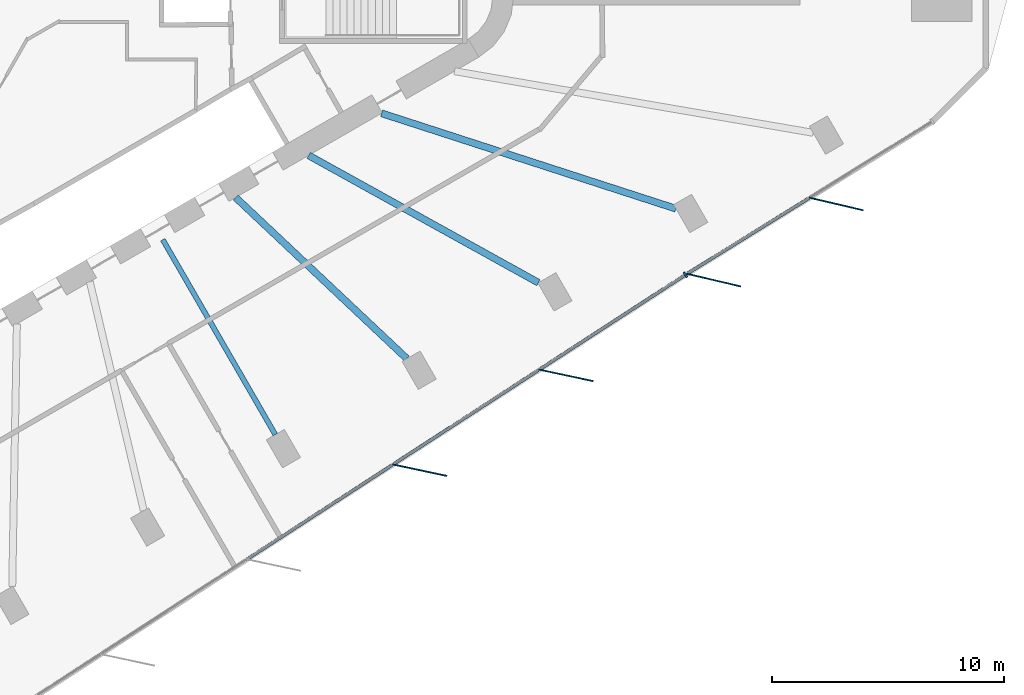
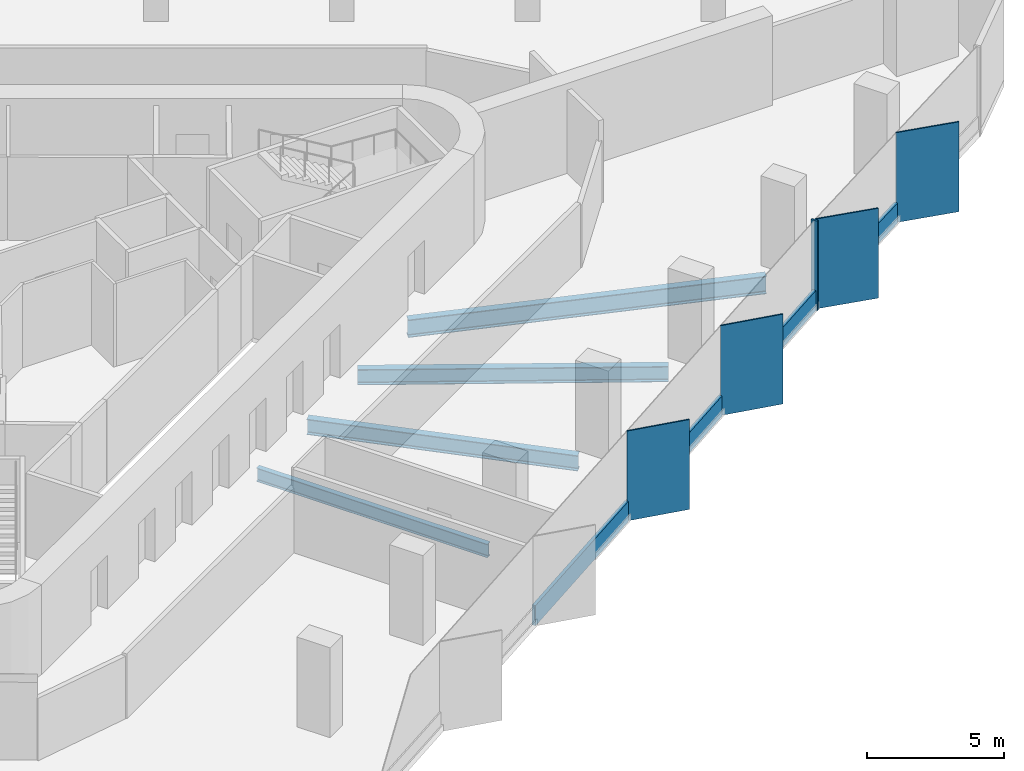
# One storey, part 3 of 13: 9 members, 4 beams, 2 elements without a shape of their own.
"""IFC4 building model written with IfcOpenShell, lengths in metres."""

from ifc_helpers import new_model, si_unit, direction, frame, origin, origin_2d, place, context, subcontext, project, spatial, rectangle, i_section, extrude, material, material_profile, profile_set, type_object, element, aggregate, save


model = new_model("IFC4")

# Units and contexts
model_context = context("Model", 3, precision=1e-05, world=origin(), true_north=direction((0.0, 1.0)))
body_context = subcontext(model_context, "Body", "Model", "MODEL_VIEW")
ifc_project = project(units=[si_unit("LENGTHUNIT", "METRE"), si_unit("AREAUNIT", "SQUARE_METRE"), si_unit("VOLUMEUNIT", "CUBIC_METRE"), si_unit("PLANEANGLEUNIT", "RADIAN"), si_unit("MASSUNIT", "GRAM", prefix="KILO")], contexts=[model_context])

# Site, building, storey
site_placement = place(None, origin())
site = spatial("IfcSite", under=ifc_project, at=site_placement, CompositionType="ELEMENT")
building_placement = place(site_placement, origin())
building = spatial("IfcBuilding", under=site, at=building_placement, Name="Tanit Gate Tower", CompositionType="ELEMENT")
storey_placement = place(building_placement, frame((0.0, 0.0, 173.199951171875)))
storey = spatial("IfcBuildingStorey", under=building, at=storey_placement, Name="L37", CompositionType="ELEMENT", Elevation=173.199951171875)

# Curtain wall, members
ifc_material_1 = material(Name="Aluminium bronze anodised and glass", Category="aluminium")
curtain_wall_type = type_object("IfcCurtainWallType", Name="Curtain wall typical mid", PredefinedType="NOTDEFINED", material=ifc_material_1)
curtain_wall_1_placement = place(storey_placement, origin())
curtain_wall_1 = element("IfcCurtainWall", 1, at=curtain_wall_1_placement, inside=storey, type_object=curtain_wall_type, Name="Curtain wall L37 SE2", PredefinedType="NOTDEFINED")
ifc_material_2 = material(Name="Aluminium bronze anodised", Category="aluminium")
ifc_material_profile_1 = material_profile(ifc_material_2, rectangle(XDim=2.39990234375, YDim=0.055908203125, at=origin_2d()), Name="56x2400 bronze fin mullion")
ifc_profile_set_1 = profile_set([ifc_material_profile_1], Name="Aluminium bronze anodised")
member_type_1 = type_object("IfcMemberType", Name="FIN MULLION 56x2400 bronze", PredefinedType="MULLION", material=ifc_profile_set_1)
member_1_placement = place(storey_placement, frame((17.150146484375, -20.43505859375, -0.300048828125), z_axis=(0.0, 0.0, 1.0), x_axis=(-0.978049407445, 0.208373118697, 0.0)))
member_1 = element("IfcMember", 2, at=member_1_placement, type_object=member_type_1, Name="Fin mullion L37 SE2.4", PredefinedType="MULLION", context=body_context, shape_type="SweptSolid", body=[
    extrude(rectangle(XDim=2.39990234375, YDim=0.055908203125, at=origin_2d()), origin(), (0.0, 0.0, 1.0), 4.0),
])
member_2_placement = place(storey_placement, frame((23.463623046875, -16.339111328125, -0.300048828125), z_axis=(0.0, 0.0, 1.0), x_axis=(-0.978049407445, 0.208373118697, 0.0)))
member_2 = element("IfcMember", 3, at=member_2_placement, type_object=member_type_1, Name="Fin mullion L37 SE2.5", PredefinedType="MULLION", context=body_context, shape_type="SweptSolid", body=[
    extrude(rectangle(XDim=2.39990234375, YDim=0.055908203125, at=origin_2d()), origin(), (0.0, 0.0, 1.0), 4.0),
])

curtain_wall_2_placement = place(storey_placement, origin())
curtain_wall_2 = element("IfcCurtainWall", 4, at=curtain_wall_2_placement, inside=storey, type_object=curtain_wall_type, Name="Curtain wall L37 SE3", PredefinedType="NOTDEFINED")
member_3_placement = place(storey_placement, frame((29.839599609375, -12.223876953125, -0.300048828125), z_axis=(0.0, 0.0, 1.0), x_axis=(-0.973618131435, 0.228183553615, 0.0)))
member_3 = element("IfcMember", 5, at=member_3_placement, type_object=member_type_1, Name="Fin mullion L37 SE3.1", PredefinedType="MULLION", context=body_context, shape_type="SweptSolid", body=[
    extrude(rectangle(XDim=2.39990234375, YDim=0.055908203125, at=origin_2d()), origin(), (0.0, 0.0, 1.0), 4.0),
])
member_4_placement = place(storey_placement, frame((35.138427734375, -8.937255859375, -0.300048828125), z_axis=(0.0, 0.0, 1.0), x_axis=(-0.973618131435, 0.228183553615, 0.0)))
member_4 = element("IfcMember", 6, at=member_4_placement, type_object=member_type_1, Name="Fin mullion L37 SE3.2", PredefinedType="MULLION", context=body_context, shape_type="SweptSolid", body=[
    extrude(rectangle(XDim=2.39990234375, YDim=0.055908203125, at=origin_2d()), origin(), (0.0, 0.0, 1.0), 4.0),
])

# Member
ifc_material_3 = material(Name="Aluminium bronze anodised", Category="aluminium")
ifc_material_profile_2 = material_profile(ifc_material_3, rectangle(XDim=0.260009765625, YDim=0.080078125, at=origin_2d()), Name="80x260 bronze mullion")
ifc_profile_set_2 = profile_set([ifc_material_profile_2], Name="Aluminium bronze anodised")
member_type_2 = type_object("IfcMemberType", Name="Mullion 80x260 typical mid", PredefinedType="MULLION", material=ifc_profile_set_2)
member_5_placement = place(storey_placement, frame((28.62451171875, -11.997802734375, -0.300048828125), z_axis=(0.0, 0.0, 1.0), x_axis=(-0.544243323092, 0.838927413588, 0.0)))
member_5 = element("IfcMember", 7, at=member_5_placement, type_object=member_type_2, Name="Mullion L37 SE2.6", PredefinedType="MULLION", context=body_context, shape_type="SweptSolid", body=[
    extrude(rectangle(XDim=0.260009765625, YDim=0.080078125, at=origin_2d()), origin(), (0.0, 0.0, 1.0), 4.0),
])

# Beams
ifc_material_4 = material(Name="Steel S355", Category="steel")
ifc_material_profile_3 = material_profile(ifc_material_4, i_section(OverallWidth=0.300048828125, OverallDepth=0.68994140625, WebThickness=0.014404296875, FlangeThickness=0.027099609375, FilletRadius=0.027099609375, at=origin_2d()), Name="HEA 700")
ifc_profile_set_3 = profile_set([ifc_material_profile_3], Name="Steel S355")
beam_type_1 = type_object("IfcBeamType", Name="RADIAL GIRDER HEA 700 S355", PredefinedType="BEAM", material=ifc_profile_set_3)
beam_1_placement = place(storey_placement, frame((16.593505859375, -15.619384765625, -0.64501953125), z_axis=(-0.728163982775, 0.685402957529, 0.0), x_axis=(-0.685402957529, -0.728163982775, 0.0)))
element("IfcBeam", 8, at=beam_1_placement, inside=storey, type_object=beam_type_1, Name="RADIAL GIRDER", PredefinedType="BEAM", context=body_context, shape_type="SweptSolid", body=[
    extrude(i_section(OverallWidth=0.300048828125, OverallDepth=0.68994140625, WebThickness=0.014404296875, FlangeThickness=0.027099609375, FilletRadius=0.027099609375, at=origin_2d()), origin(), (0.0, 0.0, 1.0), 10.1513671875),
])
beam_2_placement = place(storey_placement, frame((22.27490234375, -12.339111328125, -0.64501953125), z_axis=(-0.874754584169, 0.484566215781, 0.0), x_axis=(-0.484566215781, -0.874754584169, 0.0)))
element("IfcBeam", 9, at=beam_2_placement, inside=storey, type_object=beam_type_1, Name="RADIAL GIRDER", PredefinedType="BEAM", context=body_context, shape_type="SweptSolid", body=[
    extrude(i_section(OverallWidth=0.300048828125, OverallDepth=0.68994140625, WebThickness=0.014404296875, FlangeThickness=0.027099609375, FilletRadius=0.027099609375, at=origin_2d()), origin(), (0.0, 0.0, 1.0), 11.34326171875),
])
ifc_material_5 = material(Name="Steel S355", Category="steel")
ifc_material_profile_4 = material_profile(ifc_material_5, i_section(OverallWidth=0.300048828125, OverallDepth=0.7900390625, WebThickness=0.014892578125, FlangeThickness=0.028076171875, FilletRadius=0.030029296875, at=origin_2d()), Name="HEA 800")
ifc_profile_set_4 = profile_set([ifc_material_profile_4], Name="Steel S355")
beam_type_2 = type_object("IfcBeamType", Name="RADIAL GIRDER HEA 800 S355", PredefinedType="BEAM", material=ifc_profile_set_4)
beam_3_placement = place(storey_placement, frame((28.214111328125, -9.142333984375, -0.695068359375), z_axis=(-0.951302925208, 0.308257594376, 0.0), x_axis=(-0.308257594376, -0.951302925208, 0.0)))
element("IfcBeam", 10, at=beam_3_placement, inside=storey, type_object=beam_type_2, Name="RADIAL GIRDER", PredefinedType="BEAM", context=body_context, shape_type="SweptSolid", body=[
    extrude(i_section(OverallWidth=0.300048828125, OverallDepth=0.7900390625, WebThickness=0.014892578125, FlangeThickness=0.028076171875, FilletRadius=0.030029296875, at=origin_2d()), origin(), (0.0, 0.0, 1.0), 13.36181640625),
])
ifc_material_6 = material(Name="Steel S355", Category="steel")
ifc_material_profile_5 = material_profile(ifc_material_6, i_section(OverallWidth=0.219970703125, OverallDepth=0.60009765625, WebThickness=0.011962890625, FlangeThickness=0.01904296875, FilletRadius=0.02392578125, at=origin_2d()), Name="IPE 600")
ifc_profile_set_5 = profile_set([ifc_material_profile_5], Name="Steel S355")
beam_type_3 = type_object("IfcBeamType", Name="RADIAL GIRDER IPE 600 S355", PredefinedType="BEAM", material=ifc_profile_set_5)
beam_4_placement = place(storey_placement, frame((10.911865234375, -18.89990234375, -0.599853515625), z_axis=(-0.500001430823, 0.866024577697, 0.0), x_axis=(-0.866024577697, -0.500001430823, 0.0)))
element("IfcBeam", 11, at=beam_4_placement, inside=storey, type_object=beam_type_3, Name="RADIAL GIRDER", PredefinedType="BEAM", context=body_context, shape_type="SweptSolid", body=[
    extrude(i_section(OverallWidth=0.219970703125, OverallDepth=0.60009765625, WebThickness=0.011962890625, FlangeThickness=0.01904296875, FilletRadius=0.02392578125, at=origin_2d()), origin(), (0.0, 0.0, 1.0), 9.7216796875),
])

# Member
ifc_material_7 = material(Name="Aluminium bronze anodised", Category="aluminium")
ifc_material_profile_6 = material_profile(ifc_material_7, rectangle(XDim=0.139892578125, YDim=0.89990234375, at=origin_2d()), Name="140x900 bronze transom")
ifc_profile_set_6 = profile_set([ifc_material_profile_6], Name="Aluminium bronze anodised")
member_type_3 = type_object("IfcMemberType", Name="Transom 140x900 typical mid", PredefinedType="USERDEFINED", material=ifc_profile_set_6)
member_6_placement = place(storey_placement, frame((9.71728515625, -24.263427734375, 0.150146484375), z_axis=(0.838926489373, 0.544244747727, 0.0), x_axis=(-0.544244747727, 0.838926489373, 0.0)))
member_6 = element("IfcMember", 12, at=member_6_placement, type_object=member_type_3, Name="Transom L37 SE2.3", ObjectType="TRANSOM", PredefinedType="USERDEFINED", context=body_context, shape_type="SweptSolid", body=[
    extrude(rectangle(XDim=0.139892578125, YDim=0.89990234375, at=origin_2d()), origin(), (0.0, 0.0, 1.0), 7.445556640625),
])

member_7_placement = place(storey_placement, frame((16.03076171875, -20.167724609375, 0.150146484375), z_axis=(0.83892123078, 0.544252853503, 0.0), x_axis=(-0.544252853503, 0.83892123078, 0.0)))
member_7 = element("IfcMember", 13, at=member_7_placement, type_object=member_type_3, Name="Transom L37 SE2.4", ObjectType="TRANSOM", PredefinedType="USERDEFINED", context=body_context, shape_type="SweptSolid", body=[
    extrude(rectangle(XDim=0.139892578125, YDim=0.89990234375, at=origin_2d()), origin(), (0.0, 0.0, 1.0), 7.446044921875),
])

member_8_placement = place(storey_placement, frame((22.34423828125, -16.07177734375, 0.150146484375), z_axis=(0.838936201381, 0.544229776852, 0.0), x_axis=(-0.544229776852, 0.838936201381, 0.0)))
member_8 = element("IfcMember", 14, at=member_8_placement, type_object=member_type_3, Name="Transom L37 SE2.5", ObjectType="TRANSOM", PredefinedType="USERDEFINED", context=body_context, shape_type="SweptSolid", body=[
    extrude(rectangle(XDim=0.139892578125, YDim=0.89990234375, at=origin_2d()), origin(), (0.0, 0.0, 1.0), 7.44580078125),
])

aggregate(curtain_wall_1, [member_1, member_2, member_5, member_6, member_7, member_8])

member_9_placement = place(storey_placement, frame((28.725830078125, -11.933837890625, 0.150146484375), z_axis=(0.849798231342, 0.527108116052, 0.0), x_axis=(-0.527108116052, 0.849798231342, 0.0)))
member_9 = element("IfcMember", 15, at=member_9_placement, type_object=member_type_3, Name="Transom L37 SE3.1", ObjectType="TRANSOM", PredefinedType="USERDEFINED", context=body_context, shape_type="SweptSolid", body=[
    extrude(rectangle(XDim=0.139892578125, YDim=0.89990234375, at=origin_2d()), origin(), (0.0, 0.0, 1.0), 6.155517578125),
])

aggregate(curtain_wall_2, [member_3, member_4, member_9])

save(model, "model.ifc")
